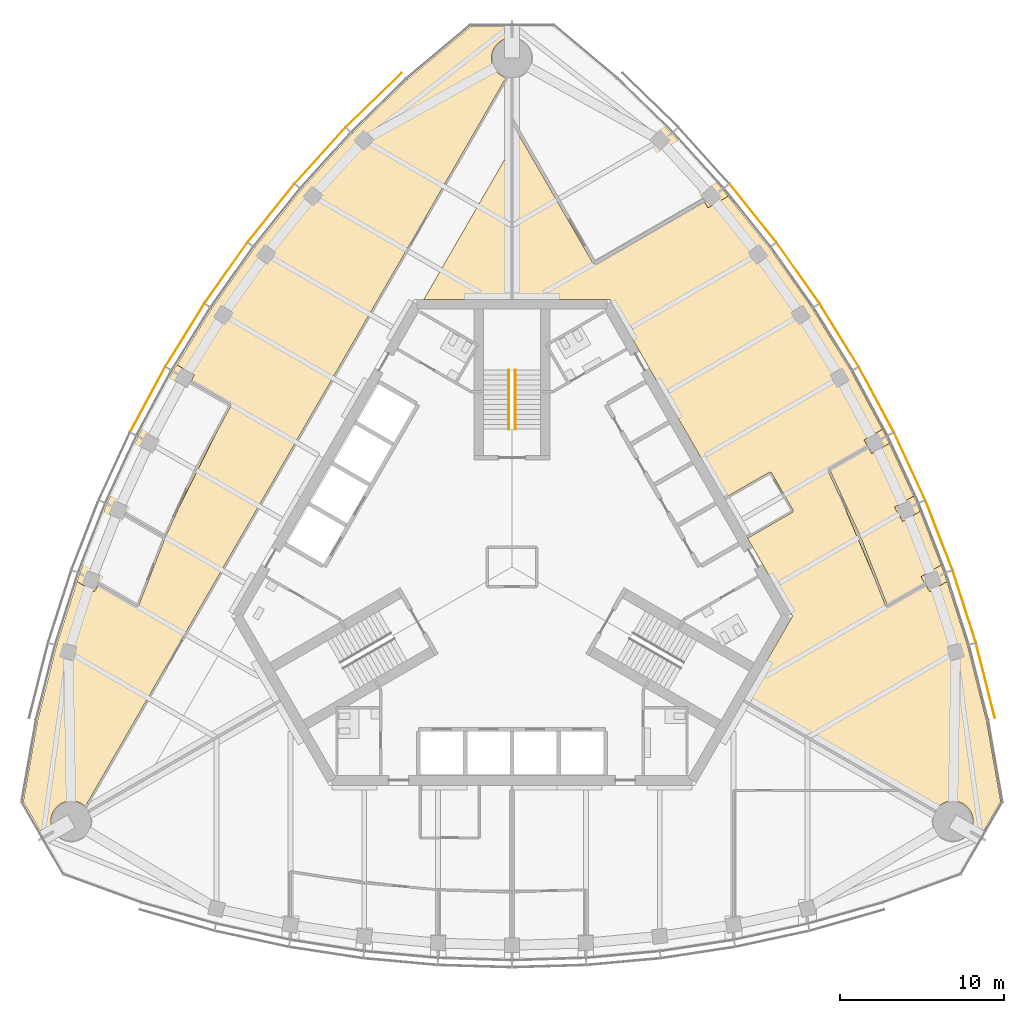
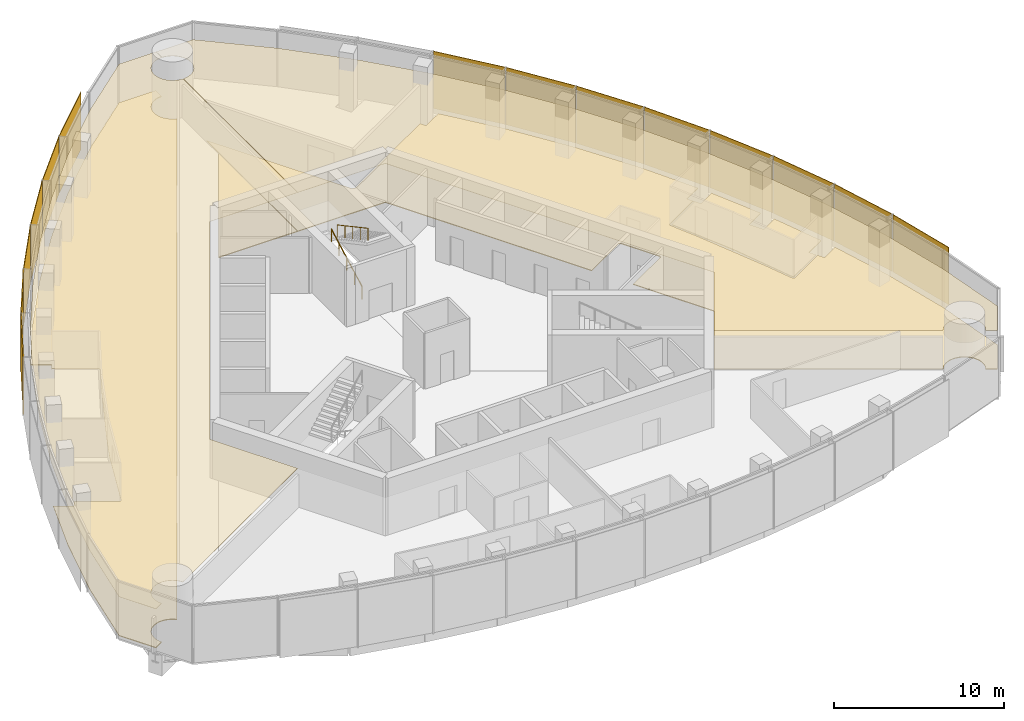
# One storey, part 13 of 16: 14 shading devices, 6 coverings, 2 railings.
"""IFC4 building model written with IfcOpenShell, lengths in metres."""

import ifcopenshell
import ifcopenshell.guid

model = None  # the IFC model being written
_history = None  # IfcOwnerHistory: only IFC2X3 demands one
_inside = {}  # id of a spatial element -> (the spatial element, [elements in it])
_under = {}  # id of a project, library or spatial element -> (it, [spatial elements below it])
_declared = {}  # id of a project -> (the project, [libraries it declares])
_typed = {}  # id of a type object -> (the type object, [elements of that type])
_made_of = {}  # id of a material, layer set ... -> (it, [elements and type objects made of it])


def new_model(schema):
    """Start an empty IFC model of exactly this schema.

    Asked for "IFC4X3", IfcOpenShell would pick the latest addendum, in which some entities
    have other attributes; the version numbers below select the first issue.
    IFC2X3 requires an IfcOwnerHistory on every rooted entity: one is made here for all.
    """
    global model, _history
    if schema == "IFC4X3":
        model = ifcopenshell.file(schema_version=(4, 3, 0, 0))
    else:
        model = ifcopenshell.file(schema=schema)
    _inside.clear()
    _under.clear()
    _declared.clear()
    _typed.clear()
    _made_of.clear()
    _history = None
    if model.schema == "IFC2X3":
        org = make("IfcOrganization", Name="unknown")
        user = make(
            "IfcPersonAndOrganization",
            ThePerson=make("IfcPerson", FamilyName="unknown"),
            TheOrganization=org,
        )
        app = make(
            "IfcApplication",
            ApplicationDeveloper=org,
            Version="unknown",
            ApplicationFullName="unknown",
            ApplicationIdentifier="unknown",
        )
        _history = make(
            "IfcOwnerHistory",
            OwningUser=user,
            OwningApplication=app,
            ChangeAction="ADDED",
            CreationDate=0,
        )
    return model


def make(cls, **values):
    """One entity of the class cls with the attributes given. An attribute that is None is left unset."""
    return model.create_entity(
        cls, **{name: value for name, value in values.items() if value is not None}
    )


def rooted(cls, **values):
    """An entity with a GlobalId (a new one), such as an element, a storey or a relation."""
    return make(cls, GlobalId=ifcopenshell.guid.new(), OwnerHistory=_history, **values)


def si_unit(unit_type, name, prefix=None):
    """IfcSIUnit, for example si_unit("LENGTHUNIT", "METRE", prefix="MILLI")."""
    return make("IfcSIUnit", UnitType=unit_type, Prefix=prefix, Name=name)


def assignment(units):
    """IfcUnitAssignment: the units of a project."""
    return None if units is None else make("IfcUnitAssignment", Units=units)


def point(xyz):
    """IfcCartesianPoint."""
    return None if xyz is None else make("IfcCartesianPoint", Coordinates=xyz)


def direction(xyz):
    """IfcDirection."""
    return None if xyz is None else make("IfcDirection", DirectionRatios=xyz)


def frame(location, z_axis=None, x_axis=None):
    """IfcAxis2Placement3D, a coordinate frame: its origin and axes. An axis left out is left unset."""
    return make(
        "IfcAxis2Placement3D",
        Location=point(location),
        Axis=direction(z_axis),
        RefDirection=direction(x_axis),
    )


def frame_2d(location, x_axis=None):
    """IfcAxis2Placement2D, a coordinate frame in the plane: its origin and x axis."""
    return make(
        "IfcAxis2Placement2D", Location=point(location), RefDirection=direction(x_axis)
    )


def origin():
    """The frame at (0, 0, 0) with its axes left unset."""
    return frame((0.0, 0.0, 0.0))


def origin_2d():
    """The frame at (0, 0) in the plane with its x axis left unset."""
    return frame_2d((0.0, 0.0))


def place(relative_to, where):
    """IfcLocalPlacement: puts the frame where relative to a parent placement (None: the world)."""
    return make(
        "IfcLocalPlacement", PlacementRelTo=relative_to, RelativePlacement=where
    )


def context(
    kind, dimensions, precision=None, world=None, true_north=None, identifier=None
):
    """IfcGeometricRepresentationContext, for example the 3D "Model" context."""
    return make(
        "IfcGeometricRepresentationContext",
        ContextIdentifier=identifier,
        ContextType=kind,
        CoordinateSpaceDimension=dimensions,
        Precision=precision,
        WorldCoordinateSystem=world,
        TrueNorth=true_north,
    )


def subcontext(parent, identifier, kind, view, scale=None):
    """IfcGeometricRepresentationSubContext, for example "Body" below "Model"."""
    return make(
        "IfcGeometricRepresentationSubContext",
        ContextIdentifier=identifier,
        ContextType=kind,
        ParentContext=parent,
        TargetScale=scale,
        TargetView=view,
    )


def project(units=None, contexts=None):
    """IfcProject with its units and contexts."""
    return rooted(
        "IfcProject",
        Name="project",
        RepresentationContexts=contexts,
        UnitsInContext=assignment(units),
    )


def spatial(cls, under=None, at=None, **own):
    """A site, building, storey or space (cls), placed at a placement, below another one or the project."""
    s = rooted(cls, ObjectPlacement=at, **own)
    if under is not None:
        _under.setdefault(under.id(), (under, []))[1].append(s)
    return s


def polyline(points):
    """IfcPolyline through the points."""
    return make("IfcPolyline", Points=[point(p) for p in points])


def profile(cls, at=None, kind="AREA", **sizes):
    """A parametric profile (cls). Its sizes go by their IFC names, for example OverallWidth=200.0."""
    return make(cls, ProfileType=kind, Position=at, **sizes)


def rectangle(**sizes):
    """IfcRectangleProfileDef."""
    return profile("IfcRectangleProfileDef", **sizes)


def circle(**sizes):
    """IfcCircleProfileDef."""
    return profile("IfcCircleProfileDef", **sizes)


def outline(outer, holes=None, kind="AREA"):
    """IfcArbitraryClosedProfileDef: a profile drawn as a closed curve; with holes, ...WithVoids."""
    if holes is None:
        return make("IfcArbitraryClosedProfileDef", ProfileType=kind, OuterCurve=outer)
    return make(
        "IfcArbitraryProfileDefWithVoids",
        ProfileType=kind,
        OuterCurve=outer,
        InnerCurves=holes,
    )


def extrude(swept, where, along, depth):
    """IfcExtrudedAreaSolid: the profile swept, set in the frame where, extruded along a direction by depth."""
    return make(
        "IfcExtrudedAreaSolid",
        SweptArea=swept,
        Position=where,
        ExtrudedDirection=direction(along),
        Depth=depth,
    )


def shape(context_of_items, identifier, shape_type, items):
    """IfcShapeRepresentation: the items that make up one representation, for example the "Body"."""
    return make(
        "IfcShapeRepresentation",
        ContextOfItems=context_of_items,
        RepresentationIdentifier=identifier,
        RepresentationType=shape_type,
        Items=items,
    )


def material(Name=None, Category=None):
    """IfcMaterial."""
    return make("IfcMaterial", Name=Name, Category=Category)


def layer(
    of_material, thickness, ventilated=None, Name=None, Category=None, Priority=None
):
    """IfcMaterialLayer: one layer of a wall or slab, of a material (None: an air gap)."""
    return make(
        "IfcMaterialLayer",
        Material=of_material,
        LayerThickness=thickness,
        IsVentilated=ventilated,
        Name=Name,
        Category=Category,
        Priority=Priority,
    )


def layer_set(layers, Name=None):
    """IfcMaterialLayerSet."""
    return make("IfcMaterialLayerSet", MaterialLayers=layers, LayerSetName=Name)


def made_of(thing, what):
    """Note that an element or type object is made of a material, layer set ...; save() writes the relation."""
    if what is not None:
        _made_of.setdefault(what.id(), (what, []))[1].append(thing)
    return thing


def type_object(cls, material=None, **own):
    """A type object (cls), such as IfcWallType, which elements share."""
    return made_of(rooted(cls, **own), material)


def element(
    cls,
    number,
    at=None,
    inside=None,
    cuts=None,
    type_object=None,
    material=None,
    context=None,
    identifier="Body",
    shape_type=None,
    held_by="IfcProductDefinitionShape",
    body=None,
    shapes=None,
    **own,
):
    """One element of the class cls, such as IfcWall. Its Tag is "e" and its number.

    at: its placement. inside: the storey or other place that contains it. cuts: it is an
    opening in that element (IfcRelVoidsElement). A single representation is given by context,
    identifier, shape_type and body (its items); several are given by shapes. held_by: the class
    of the entity that holds the representations. save() writes the other relations.
    """
    e = rooted(cls, Tag="e%d" % number, ObjectPlacement=at, **own)
    if body is not None:
        shapes = [shape(context, identifier, shape_type, body)]
    if shapes is not None:
        e.Representation = make(held_by, Representations=shapes)
    if inside is not None:
        _inside.setdefault(inside.id(), (inside, []))[1].append(e)
    if cuts is not None:
        rooted(
            "IfcRelVoidsElement", RelatingBuildingElement=cuts, RelatedOpeningElement=e
        )
    if type_object is not None:
        _typed.setdefault(type_object.id(), (type_object, []))[1].append(e)
    return made_of(e, material)


def aggregate(whole, parts):
    """IfcRelAggregates: a whole, such as a stair, and the parts it consists of."""
    return rooted("IfcRelAggregates", RelatingObject=whole, RelatedObjects=parts)


def save(model, path):
    """Write the relations noted so far, then the file.

    IfcRelAggregates (storeys below a building ...), IfcRelContainedInSpatialStructure (elements
    in a storey), IfcRelDefinesByType, IfcRelAssociatesMaterial and IfcRelDeclares: one each for
    every whole, place, type object, material and project.
    """
    for whole, parts in _under.values():
        aggregate(whole, parts)
    for where, things in _inside.values():
        rooted(
            "IfcRelContainedInSpatialStructure",
            RelatedElements=things,
            RelatingStructure=where,
        )
    for kind, things in _typed.values():
        rooted("IfcRelDefinesByType", RelatedObjects=things, RelatingType=kind)
    for what, things in _made_of.values():
        rooted("IfcRelAssociatesMaterial", RelatedObjects=things, RelatingMaterial=what)
    for by, libraries in _declared.values():
        rooted("IfcRelDeclares", RelatingContext=by, RelatedDefinitions=libraries)
    model.write(path)


model = new_model("IFC4")

# Units and contexts
model_context = context("Model", 3, precision=1e-05, world=origin(), true_north=direction((0.0, 1.0)))
body_context = subcontext(model_context, "Body", "Model", "MODEL_VIEW")
ifc_project = project(units=[si_unit("LENGTHUNIT", "METRE"), si_unit("AREAUNIT", "SQUARE_METRE"), si_unit("VOLUMEUNIT", "CUBIC_METRE"), si_unit("PLANEANGLEUNIT", "RADIAN"), si_unit("MASSUNIT", "GRAM", prefix="KILO")], contexts=[model_context])

# Site, building, storey
site_placement = place(None, origin())
site = spatial("IfcSite", under=ifc_project, at=site_placement, CompositionType="ELEMENT")
building_placement = place(site_placement, origin())
building = spatial("IfcBuilding", under=site, at=building_placement, Name="Trefoil Bronze Tower", CompositionType="ELEMENT")
storey_placement = place(building_placement, frame((0.0, 0.0, 309.89990234375)))
storey = spatial("IfcBuildingStorey", under=building, at=storey_placement, Name="L71", CompositionType="ELEMENT", Elevation=309.89990234375)

# Shading devices
ifc_material_1 = material(Name="Perforated bronze sheet", Category="bronze")
ifc_layer_1 = layer(ifc_material_1, 0.0400390625)
ifc_layer_set_1 = layer_set([ifc_layer_1], Name="Bronze solar screen panel")
shading_device_type = type_object("IfcShadingDeviceType", Name="Bronze solar screen panel", PredefinedType="SHUTTER", material=ifc_layer_set_1)
shading_device_1_placement = place(storey_placement, frame((28.843994140625, -6.927490234375, 0.050048828125), z_axis=(0.0, 0.0, 1.0), x_axis=(-0.244879561333, 0.969553505713, 0.0)))
element("IfcShadingDevice", 1, at=shading_device_1_placement, inside=storey, type_object=shading_device_type, Name="Solar screen CW-A L71 F2 bay 1", PredefinedType="SHUTTER", context=body_context, shape_type="SweptSolid", body=[
    extrude(rectangle(XDim=4.697509765625, YDim=0.0400390625, at=origin_2d()), origin(), (0.0, 0.0, 1.0), 4.10009765625),
])
shading_device_2_placement = place(storey_placement, frame((27.55322265625, -2.410888671875, 0.050048828125), z_axis=(0.0, 0.0, 1.0), x_axis=(-0.305187864214, 0.952292165009, 0.0)))
element("IfcShadingDevice", 2, at=shading_device_2_placement, inside=storey, type_object=shading_device_type, Name="Solar screen CW-A L71 F2 bay 2", PredefinedType="SHUTTER", context=body_context, shape_type="SweptSolid", body=[
    extrude(rectangle(XDim=4.574462890625, YDim=0.0400390625, at=origin_2d()), origin(), (0.0, 0.0, 1.0), 4.10009765625),
])
shading_device_3_placement = place(storey_placement, frame((26.0126953125, 1.93359375, 0.050048828125), z_axis=(0.0, 0.0, 1.0), x_axis=(-0.363198578387, 0.931711754062, 0.0)))
element("IfcShadingDevice", 3, at=shading_device_3_placement, inside=storey, type_object=shading_device_type, Name="Solar screen CW-A L71 F2 bay 3", PredefinedType="SHUTTER", context=body_context, shape_type="SweptSolid", body=[
    extrude(rectangle(XDim=4.5224609375, YDim=0.0400390625, at=origin_2d()), origin(), (0.0, 0.0, 1.0), 4.10009765625),
])
shading_device_4_placement = place(storey_placement, frame((24.2255859375, 6.135986328125, 0.050048828125), z_axis=(0.0, 0.0, 1.0), x_axis=(-0.419309148468, 0.907843509649, 0.0)))
element("IfcShadingDevice", 4, at=shading_device_4_placement, inside=storey, type_object=shading_device_type, Name="Solar screen CW-A L71 F2 bay 4", PredefinedType="SHUTTER", context=body_context, shape_type="SweptSolid", body=[
    extrude(rectangle(XDim=4.48876953125, YDim=0.0400390625, at=origin_2d()), origin(), (0.0, 0.0, 1.0), 4.10009765625),
])
for number, where, z_axis, x_axis, name in (
    (5, (22.19775390625, 10.198974609375, 0.050048828125), (0.0, 0.0, 1.0), (-0.473562437085, 0.880760250115, 0.0), "Solar screen CW-A L71 F2 bay 5"),
    (6, (19.931396484375, 14.124267578125, 0.050048828125), (0.0, 0.0, 1.0), (-0.525979532701, 0.850497225851, 0.0), "Solar screen CW-A L71 F2 bay 6"),
):
    element("IfcShadingDevice", number, at=place(storey_placement, frame(where, z_axis=z_axis, x_axis=x_axis)), inside=storey, type_object=shading_device_type, Name=name, PredefinedType="SHUTTER", context=body_context, shape_type="SweptSolid", body=[
        extrude(rectangle(XDim=4.47216796875, YDim=0.0400390625, at=origin_2d()), origin(), (0.0, 0.0, 1.0), 4.10009765625),
    ])
shading_device_5_placement = place(storey_placement, frame((17.4267578125, 17.912109375, 0.050048828125), z_axis=(0.0, 0.0, 1.0), x_axis=(-0.576560967783, 0.817054129437, 0.0)))
element("IfcShadingDevice", 7, at=shading_device_5_placement, inside=storey, type_object=shading_device_type, Name="Solar screen CW-A L71 F2 bay 7", PredefinedType="SHUTTER", context=body_context, shape_type="SweptSolid", body=[
    extrude(rectangle(XDim=4.48876953125, YDim=0.0400390625, at=origin_2d()), origin(), (0.0, 0.0, 1.0), 4.10009765625),
])
shading_device_6_placement = place(storey_placement, frame((14.680908203125, 21.560791015625, 0.050048828125), z_axis=(0.0, 0.0, 1.0), x_axis=(-0.625286758829, 0.780395072533, 0.0)))
element("IfcShadingDevice", 8, at=shading_device_6_placement, inside=storey, type_object=shading_device_type, Name="Solar screen CW-A L71 F2 bay 8", PredefinedType="SHUTTER", context=body_context, shape_type="SweptSolid", body=[
    extrude(rectangle(XDim=4.5224609375, YDim=0.0400390625, at=origin_2d()), origin(), (0.0, 0.0, 1.0), 4.10009765625),
])
shading_device_7_placement = place(storey_placement, frame((-8.42236328125, 28.443359375, 0.050048828125), z_axis=(0.0, 0.0, 1.0), x_axis=(-0.71721818561, -0.696848673839, 0.0)))
element("IfcShadingDevice", 9, at=shading_device_7_placement, inside=storey, type_object=shading_device_type, Name="Solar screen CW-A L71 F3 bay 1", PredefinedType="SHUTTER", context=body_context, shape_type="SweptSolid", body=[
    extrude(rectangle(XDim=4.697509765625, YDim=0.0400390625, at=origin_2d()), origin(), (0.0, 0.0, 1.0), 4.10009765625),
])
shading_device_8_placement = place(storey_placement, frame((-11.688720703125, 25.067138671875, 0.050048828125), z_axis=(0.0, 0.0, 1.0), x_axis=(-0.672115274615, -0.74044652584, 0.0)))
element("IfcShadingDevice", 10, at=shading_device_8_placement, inside=storey, type_object=shading_device_type, Name="Solar screen CW-A L71 F3 bay 2", PredefinedType="SHUTTER", context=body_context, shape_type="SweptSolid", body=[
    extrude(rectangle(XDim=4.574462890625, YDim=0.0400390625, at=origin_2d()), origin(), (0.0, 0.0, 1.0), 4.10009765625),
])
shading_device_9_placement = place(storey_placement, frame((-14.680908203125, 21.560791015625, 0.050048828125), z_axis=(0.0, 0.0, 1.0), x_axis=(-0.625286758829, -0.780395072533, 0.0)))
element("IfcShadingDevice", 11, at=shading_device_9_placement, inside=storey, type_object=shading_device_type, Name="Solar screen CW-A L71 F3 bay 3", PredefinedType="SHUTTER", context=body_context, shape_type="SweptSolid", body=[
    extrude(rectangle(XDim=4.5224609375, YDim=0.0400390625, at=origin_2d()), origin(), (0.0, 0.0, 1.0), 4.10009765625),
])
shading_device_10_placement = place(storey_placement, frame((-17.4267578125, 17.912109375, 0.050048828125), z_axis=(0.0, 0.0, 1.0), x_axis=(-0.576560967783, -0.817054129437, 0.0)))
element("IfcShadingDevice", 12, at=shading_device_10_placement, inside=storey, type_object=shading_device_type, Name="Solar screen CW-A L71 F3 bay 4", PredefinedType="SHUTTER", context=body_context, shape_type="SweptSolid", body=[
    extrude(rectangle(XDim=4.48876953125, YDim=0.0400390625, at=origin_2d()), origin(), (0.0, 0.0, 1.0), 4.10009765625),
])
for number, where, z_axis, x_axis, name in (
    (13, (-19.931396484375, 14.124267578125, 0.050048828125), (0.0, 0.0, 1.0), (-0.525979532701, -0.850497225851, 0.0), "Solar screen CW-A L71 F3 bay 5"),
    (14, (-22.19775390625, 10.198974609375, 0.050048828125), (0.0, 0.0, 1.0), (-0.473562437085, -0.880760250115, 0.0), "Solar screen CW-A L71 F3 bay 6"),
):
    element("IfcShadingDevice", number, at=place(storey_placement, frame(where, z_axis=z_axis, x_axis=x_axis)), inside=storey, type_object=shading_device_type, Name=name, PredefinedType="SHUTTER", context=body_context, shape_type="SweptSolid", body=[
        extrude(rectangle(XDim=4.47216796875, YDim=0.0400390625, at=origin_2d()), origin(), (0.0, 0.0, 1.0), 4.10009765625),
    ])

# Railings
ifc_material_2 = material(Name="Steel handrail", Category="steel")
railing_type = type_object("IfcRailingType", Name="Handrail 900", PredefinedType="HANDRAIL", material=ifc_material_2)
railing_1_placement = place(storey_placement, frame((-0.199951171875, 8.389892578125, 0.16162109375)))
element("IfcRailing", 15, at=railing_1_placement, inside=storey, type_object=railing_type, Name="Handrail ST2 flight 1 L71", PredefinedType="HANDRAIL", context=body_context, shape_type="SweptSolid", body=[
    extrude(circle(Radius=0.02392578125, at=origin_2d()), frame((0.0, 0.0, 0.8759765625), z_axis=(0.0, 0.880474934443, 0.474092701714), x_axis=(-1.0, 0.0, 0.0)), (0.0, 0.0, 1.0), 4.0888671875),
    extrude(circle(Radius=0.02099609375, at=origin_2d()), origin(), (0.0, 0.0, 1.0), 0.851806640625),
    extrude(circle(Radius=0.02099609375, at=origin_2d()), frame((0.0, 0.89990234375, 0.484619140625)), (0.0, 0.0, 1.0), 0.851806640625),
    extrude(circle(Radius=0.02099609375, at=origin_2d()), frame((0.0, 1.800048828125, 0.96923828125)), (0.0, 0.0, 1.0), 0.851806640625),
    extrude(circle(Radius=0.02099609375, at=origin_2d()), frame((0.0, 2.7001953125, 1.453857421875)), (0.0, 0.0, 1.0), 0.851806640625),
    extrude(circle(Radius=0.02099609375, at=origin_2d()), frame((0.0, 3.60009765625, 1.9384765625)), (0.0, 0.0, 1.0), 0.851806640625),
])
railing_2_placement = place(storey_placement, frame((0.199951171875, 11.989990234375, 2.26171875)))
element("IfcRailing", 16, at=railing_2_placement, inside=storey, type_object=railing_type, Name="Handrail ST2 flight 2 L71", PredefinedType="HANDRAIL", context=body_context, shape_type="SweptSolid", body=[
    extrude(circle(Radius=0.02392578125, at=origin_2d()), frame((0.0, 0.0, 0.8759765625), z_axis=(0.0, -0.880474934443, 0.474092701714), x_axis=(1.0, 0.0, 0.0)), (0.0, 0.0, 1.0), 4.0888671875),
    extrude(circle(Radius=0.02099609375, at=origin_2d()), origin(), (0.0, 0.0, 1.0), 0.851806640625),
    extrude(circle(Radius=0.02099609375, at=origin_2d()), frame((0.0, -0.89990234375, 0.484619140625)), (0.0, 0.0, 1.0), 0.851806640625),
    extrude(circle(Radius=0.02099609375, at=origin_2d()), frame((0.0, -1.800048828125, 0.96923828125)), (0.0, 0.0, 1.0), 0.851806640625),
    extrude(circle(Radius=0.02099609375, at=origin_2d()), frame((0.0, -2.7001953125, 1.453857421875)), (0.0, 0.0, 1.0), 0.851806640625),
    extrude(circle(Radius=0.02099609375, at=origin_2d()), frame((0.0, -3.60009765625, 1.9384765625)), (0.0, 0.0, 1.0), 0.851806640625),
])

# Coverings
ifc_material_3 = material(Name="Acoustic ceiling panels", Category="mineral fibre")
ifc_layer_2 = layer(ifc_material_3, 0.02001953125)
ifc_layer_set_2 = layer_set([ifc_layer_2], Name="Office ceiling 20")
covering_type_1 = type_object("IfcCoveringType", Name="Office ceiling 20", PredefinedType="CEILING", material=ifc_layer_set_2)
covering_1_placement = place(storey_placement, frame((0.0, 0.0, 2.900146484375)))
element("IfcCovering", 17, at=covering_1_placement, inside=storey, type_object=covering_type_1, Name="Ceiling L71 PA area F2", PredefinedType="CEILING", context=body_context, shape_type="SweptSolid", body=[
    extrude(outline(polyline([(9.741455078125, 26.408935546875), (12.836181640625, 22.99951171875), (15.682861328125, 19.44677734375), (18.2880859375, 15.7548828125), (20.656005859375, 11.92578125), (22.7880859375, 7.960693359375), (24.682861328125, 3.8583984375), (26.336181640625, -0.38330078125), (27.741455078125, -4.76806640625), (28.899169921875, -9.3515625), (29.770263671875, -14.291748046875), (28.522216796875, -16.453125), (27.93505859375, -16.1142578125), (27.976806640625, -16.034423828125), (28.001708984375, -15.978515625), (28.023681640625, -15.921142578125), (28.04296875, -15.86279296875), (28.059326171875, -15.8037109375), (28.07275390625, -15.743896484375), (28.083251953125, -15.683349609375), (28.0908203125, -15.62255859375), (28.09521484375, -15.561279296875), (28.0966796875, -15.5), (28.09521484375, -15.438720703125), (28.0908203125, -15.37744140625), (28.083251953125, -15.316650390625), (28.07275390625, -15.256103515625), (28.059326171875, -15.1962890625), (28.04296875, -15.13720703125), (28.023681640625, -15.078857421875), (28.001708984375, -15.021484375), (27.976806640625, -14.965576171875), (27.94921875, -14.910888671875), (27.9189453125, -14.857421875), (27.885986328125, -14.805419921875), (27.850830078125, -14.75537109375), (27.81298828125, -14.70703125), (27.77294921875, -14.66064453125), (27.730712890625, -14.6162109375), (27.686279296875, -14.57373046875), (27.639892578125, -14.53369140625), (27.59130859375, -14.49609375), (27.541259765625, -14.460693359375), (27.489501953125, -14.427734375), (27.43603515625, -14.397705078125), (27.381103515625, -14.3701171875), (27.3251953125, -14.34521484375), (27.267822265625, -14.322998046875), (27.209716796875, -14.3037109375), (27.150390625, -14.28759765625), (27.0908203125, -14.27392578125), (27.0302734375, -14.263427734375), (26.96923828125, -14.256103515625), (26.908203125, -14.25146484375), (26.8466796875, -14.25), (26.785400390625, -14.25146484375), (26.724365234375, -14.256103515625), (26.663330078125, -14.263427734375), (26.602783203125, -14.27392578125), (26.543212890625, -14.28759765625), (26.48388671875, -14.3037109375), (26.42578125, -14.322998046875), (26.368408203125, -14.34521484375), (26.312255859375, -14.3701171875), (26.257568359375, -14.397705078125), (26.2041015625, -14.427734375), (26.15234375, -14.460693359375), (26.102294921875, -14.49609375), (26.0537109375, -14.53369140625), (26.00732421875, -14.57373046875), (25.962890625, -14.6162109375), (25.920654296875, -14.66064453125), (25.880615234375, -14.70703125), (25.8427734375, -14.75537109375), (25.8076171875, -14.805419921875), (25.77001953125, -14.865478515625), (14.119384765625, -8.144775390625), (17.089599609375, -3.0), (5.94677734375, 16.300048828125), (0.006103515625, 16.300048828125), (0.01123046875, 29.750244140625), (0.061279296875, 29.75146484375), (0.12255859375, 29.756103515625), (0.183349609375, 29.763427734375), (0.243896484375, 29.77392578125), (0.3037109375, 29.78759765625), (0.36279296875, 29.8037109375), (0.421142578125, 29.822998046875), (0.478515625, 29.84521484375), (0.534423828125, 29.8701171875), (0.589111328125, 29.897705078125), (0.642578125, 29.927734375), (0.694580078125, 29.960693359375), (0.74462890625, 29.99609375), (0.79296875, 30.03369140625), (0.83935546875, 30.07373046875), (0.8837890625, 30.1162109375), (0.92626953125, 30.16064453125), (0.96630859375, 30.20703125), (1.00390625, 30.25537109375), (1.039306640625, 30.305419921875), (1.072265625, 30.357421875), (1.102294921875, 30.410888671875), (1.1298828125, 30.465576171875), (1.15478515625, 30.521484375), (1.177001953125, 30.578857421875), (1.1962890625, 30.63720703125), (1.21240234375, 30.6962890625), (1.22607421875, 30.756103515625), (1.236572265625, 30.816650390625), (1.243896484375, 30.87744140625), (1.24853515625, 30.938720703125), (1.25, 31.0), (1.24853515625, 31.061279296875), (1.243896484375, 31.12255859375), (1.236572265625, 31.183349609375), (1.22607421875, 31.243896484375), (1.21240234375, 31.3037109375), (1.1962890625, 31.36279296875), (1.177001953125, 31.421142578125), (1.15478515625, 31.478515625), (1.1298828125, 31.534423828125), (1.102294921875, 31.589111328125), (1.072265625, 31.642578125), (1.039306640625, 31.694580078125), (1.00390625, 31.74462890625), (0.96630859375, 31.79296875), (0.92626953125, 31.83935546875), (0.8837890625, 31.8837890625), (0.83935546875, 31.92626953125), (0.79296875, 31.96630859375), (0.74462890625, 32.00390625), (0.694580078125, 32.039306640625), (0.642578125, 32.072265625), (0.589111328125, 32.102294921875), (0.534423828125, 32.1298828125), (0.478515625, 32.15478515625), (0.421142578125, 32.177001953125), (0.36279296875, 32.1962890625), (0.3037109375, 32.21240234375), (0.243896484375, 32.22607421875), (0.183349609375, 32.236572265625), (0.12255859375, 32.243896484375), (0.061279296875, 32.24853515625), (0.01220703125, 32.249755859375), (0.01220703125, 32.927490234375), (2.508056640625, 32.927490234375), (6.350830078125, 29.703125), (9.741455078125, 26.408935546875)])), origin(), (0.0, 0.0, 1.0), 0.02001953125),
])
covering_2_placement = place(storey_placement, frame((0.0, 0.0, 2.900146484375)))
element("IfcCovering", 18, at=covering_2_placement, inside=storey, type_object=covering_type_1, Name="Ceiling L71 PA area F3", PredefinedType="CEILING", context=body_context, shape_type="SweptSolid", body=[
    extrude(outline(polyline([(-27.741455078125, -4.76806640625), (-26.336181640625, -0.38330078125), (-24.682861328125, 3.8583984375), (-22.7880859375, 7.960693359375), (-20.656005859375, 11.92578125), (-18.2880859375, 15.7548828125), (-15.682861328125, 19.44677734375), (-12.836181640625, 22.99951171875), (-9.741455078125, 26.408935546875), (-6.350830078125, 29.703125), (-2.508056640625, 32.927490234375), (-0.01220703125, 32.927490234375), (-0.01220703125, 32.249755859375), (-0.061279296875, 32.24853515625), (-0.12255859375, 32.243896484375), (-0.183349609375, 32.236572265625), (-0.243896484375, 32.22607421875), (-0.3037109375, 32.21240234375), (-0.36279296875, 32.1962890625), (-0.421142578125, 32.177001953125), (-0.478515625, 32.15478515625), (-0.534423828125, 32.1298828125), (-0.589111328125, 32.102294921875), (-0.642578125, 32.072265625), (-0.694580078125, 32.039306640625), (-0.74462890625, 32.00390625), (-0.79296875, 31.96630859375), (-0.83935546875, 31.92626953125), (-0.8837890625, 31.8837890625), (-0.92626953125, 31.83935546875), (-0.96630859375, 31.79296875), (-1.00390625, 31.74462890625), (-1.039306640625, 31.694580078125), (-1.072265625, 31.642578125), (-1.102294921875, 31.589111328125), (-1.1298828125, 31.534423828125), (-1.15478515625, 31.478515625), (-1.177001953125, 31.421142578125), (-1.1962890625, 31.36279296875), (-1.21240234375, 31.3037109375), (-1.22607421875, 31.243896484375), (-1.236572265625, 31.183349609375), (-1.243896484375, 31.12255859375), (-1.24853515625, 31.061279296875), (-1.25, 31.0), (-1.24853515625, 30.938720703125), (-1.243896484375, 30.87744140625), (-1.236572265625, 30.816650390625), (-1.22607421875, 30.756103515625), (-1.21240234375, 30.6962890625), (-1.1962890625, 30.63720703125), (-1.177001953125, 30.578857421875), (-1.15478515625, 30.521484375), (-1.1298828125, 30.465576171875), (-1.102294921875, 30.410888671875), (-1.072265625, 30.357421875), (-1.039306640625, 30.305419921875), (-1.00390625, 30.25537109375), (-0.96630859375, 30.20703125), (-0.92626953125, 30.16064453125), (-0.8837890625, 30.1162109375), (-0.83935546875, 30.07373046875), (-0.79296875, 30.03369140625), (-0.74462890625, 29.99609375), (-0.694580078125, 29.960693359375), (-0.642578125, 29.927734375), (-0.589111328125, 29.897705078125), (-0.534423828125, 29.8701171875), (-0.478515625, 29.84521484375), (-0.421142578125, 29.822998046875), (-0.36279296875, 29.8037109375), (-0.3037109375, 29.78759765625), (-0.243896484375, 29.77392578125), (-0.183349609375, 29.763427734375), (-0.12255859375, 29.756103515625), (-0.061279296875, 29.75146484375), (-0.01123046875, 29.750244140625), (-0.006103515625, 16.300048828125), (-5.94677734375, 16.300048828125), (-17.089599609375, -3.0), (-14.119384765625, -8.144775390625), (-25.77001953125, -14.865478515625), (-25.8076171875, -14.805419921875), (-25.8427734375, -14.75537109375), (-25.880615234375, -14.70703125), (-25.920654296875, -14.66064453125), (-25.962890625, -14.6162109375), (-26.00732421875, -14.57373046875), (-26.0537109375, -14.53369140625), (-26.102294921875, -14.49609375), (-26.15234375, -14.460693359375), (-26.2041015625, -14.427734375), (-26.257568359375, -14.397705078125), (-26.312255859375, -14.3701171875), (-26.368408203125, -14.34521484375), (-26.42578125, -14.322998046875), (-26.48388671875, -14.3037109375), (-26.543212890625, -14.28759765625), (-26.602783203125, -14.27392578125), (-26.663330078125, -14.263427734375), (-26.724365234375, -14.256103515625), (-26.785400390625, -14.25146484375), (-26.8466796875, -14.25), (-26.908203125, -14.25146484375), (-26.96923828125, -14.256103515625), (-27.0302734375, -14.263427734375), (-27.0908203125, -14.27392578125), (-27.150390625, -14.28759765625), (-27.209716796875, -14.3037109375), (-27.267822265625, -14.322998046875), (-27.3251953125, -14.34521484375), (-27.381103515625, -14.3701171875), (-27.43603515625, -14.397705078125), (-27.489501953125, -14.427734375), (-27.541259765625, -14.460693359375), (-27.59130859375, -14.49609375), (-27.639892578125, -14.53369140625), (-27.686279296875, -14.57373046875), (-27.730712890625, -14.6162109375), (-27.77294921875, -14.66064453125), (-27.81298828125, -14.70703125), (-27.850830078125, -14.75537109375), (-27.885986328125, -14.805419921875), (-27.9189453125, -14.857421875), (-27.94921875, -14.910888671875), (-27.976806640625, -14.965576171875), (-28.001708984375, -15.021484375), (-28.023681640625, -15.078857421875), (-28.04296875, -15.13720703125), (-28.059326171875, -15.1962890625), (-28.07275390625, -15.256103515625), (-28.083251953125, -15.316650390625), (-28.0908203125, -15.37744140625), (-28.09521484375, -15.438720703125), (-28.0966796875, -15.5), (-28.09521484375, -15.561279296875), (-28.0908203125, -15.62255859375), (-28.083251953125, -15.683349609375), (-28.07275390625, -15.743896484375), (-28.059326171875, -15.8037109375), (-28.04296875, -15.86279296875), (-28.023681640625, -15.921142578125), (-28.001708984375, -15.978515625), (-27.976806640625, -16.034423828125), (-27.93505859375, -16.1142578125), (-28.522216796875, -16.453125), (-29.770263671875, -14.291748046875), (-28.899169921875, -9.3515625), (-27.741455078125, -4.76806640625)])), origin(), (0.0, 0.0, 1.0), 0.02001953125),
])
ifc_material_4 = material(Name="Raised access floor panels", Category="steel")
ifc_layer_3 = layer(ifc_material_4, 0.050048828125)
ifc_layer_set_3 = layer_set([ifc_layer_3], Name="Raised access floor 150")
covering_type_2 = type_object("IfcCoveringType", Name="Raised access floor 150", PredefinedType="FLOORING", material=ifc_layer_set_3)
covering_3_placement = place(storey_placement, frame((0.0, 0.0, 0.10009765625)))
element("IfcCovering", 19, at=covering_3_placement, inside=storey, type_object=covering_type_2, Name="Raised floor L71 Executive office F2", PredefinedType="FLOORING", context=body_context, shape_type="SweptSolid", body=[
    extrude(outline(polyline([(24.47119140625, 4.316162109375), (23.298583984375, 3.63916015625), (23.801025390625, 2.769287109375), (24.867431640625, 3.385009765625), (26.143310546875, 0.112060546875), (24.9140625, -0.59765625), (25.146728515625, -1.000732421875), (22.859375, -2.3212890625), (21.231201171875, 1.85498046875), (21.17529296875, 1.833251953125), (21.22998046875, 1.8583984375), (19.358154296875, 5.910888671875), (21.70751953125, 7.267333984375), (21.677490234375, 7.3193359375), (21.680419921875, 7.321044921875), (21.919189453125, 6.90771484375), (22.989013671875, 7.525390625), (24.47119140625, 4.316162109375)])), origin(), (0.0, 0.0, 1.0), 0.050048828125),
])
covering_4_placement = place(storey_placement, frame((0.0, 0.0, 0.10009765625)))
element("IfcCovering", 20, at=covering_4_placement, inside=storey, type_object=covering_type_2, Name="Raised floor L71 PA area F2", PredefinedType="FLOORING", context=body_context, shape_type="SweptSolid", body=[
    extrude(outline(polyline([(20.656005859375, 11.92578125), (22.56201171875, 8.38134765625), (21.441650390625, 7.734619140625), (21.680419921875, 7.321044921875), (21.677490234375, 7.3193359375), (21.647705078125, 7.371337890625), (19.250732421875, 5.987548828125), (19.28076171875, 5.935546875), (19.226318359375, 5.910400390625), (20.048095703125, 4.131103515625), (22.055908203125, -0.59033203125), (22.77294921875, -2.429931640625), (22.828857421875, -2.408203125), (22.85888671875, -2.460205078125), (25.206787109375, -1.104736328125), (25.439453125, -1.5078125), (26.500244140625, -0.895263671875), (27.741455078125, -4.76806640625), (28.899169921875, -9.3515625), (29.770263671875, -14.291748046875), (28.522216796875, -16.453125), (27.93505859375, -16.1142578125), (27.976806640625, -16.034423828125), (28.001708984375, -15.978515625), (28.023681640625, -15.921142578125), (28.04296875, -15.86279296875), (28.059326171875, -15.8037109375), (28.07275390625, -15.743896484375), (28.083251953125, -15.683349609375), (28.0908203125, -15.62255859375), (28.09521484375, -15.561279296875), (28.0966796875, -15.5), (28.09521484375, -15.438720703125), (28.0908203125, -15.37744140625), (28.083251953125, -15.316650390625), (28.07275390625, -15.256103515625), (28.059326171875, -15.1962890625), (28.04296875, -15.13720703125), (28.023681640625, -15.078857421875), (28.001708984375, -15.021484375), (27.976806640625, -14.965576171875), (27.94921875, -14.910888671875), (27.9189453125, -14.857421875), (27.885986328125, -14.805419921875), (27.850830078125, -14.75537109375), (27.81298828125, -14.70703125), (27.77294921875, -14.66064453125), (27.730712890625, -14.6162109375), (27.686279296875, -14.57373046875), (27.639892578125, -14.53369140625), (27.59130859375, -14.49609375), (27.541259765625, -14.460693359375), (27.489501953125, -14.427734375), (27.43603515625, -14.397705078125), (27.381103515625, -14.3701171875), (27.3251953125, -14.34521484375), (27.267822265625, -14.322998046875), (27.209716796875, -14.3037109375), (27.150390625, -14.28759765625), (27.0908203125, -14.27392578125), (27.0302734375, -14.263427734375), (26.96923828125, -14.256103515625), (26.908203125, -14.25146484375), (26.8466796875, -14.25), (26.785400390625, -14.25146484375), (26.724365234375, -14.256103515625), (26.663330078125, -14.263427734375), (26.602783203125, -14.27392578125), (26.543212890625, -14.28759765625), (26.48388671875, -14.3037109375), (26.42578125, -14.322998046875), (26.368408203125, -14.34521484375), (26.312255859375, -14.3701171875), (26.257568359375, -14.397705078125), (26.2041015625, -14.427734375), (26.15234375, -14.460693359375), (26.102294921875, -14.49609375), (26.0537109375, -14.53369140625), (26.00732421875, -14.57373046875), (25.962890625, -14.6162109375), (25.920654296875, -14.66064453125), (25.880615234375, -14.70703125), (25.8427734375, -14.75537109375), (25.8076171875, -14.805419921875), (25.77001953125, -14.865478515625), (14.119384765625, -8.144775390625), (17.089599609375, -3.0), (14.34814453125, 1.748291015625), (17.119384765625, 3.348388671875), (17.08935546875, 3.400390625), (17.141357421875, 3.430419921875), (15.79150390625, 5.7685546875), (15.739501953125, 5.738525390625), (15.70947265625, 5.79052734375), (12.93798828125, 4.1904296875), (5.94677734375, 16.300048828125), (0.006103515625, 16.300048828125), (0.010009765625, 27.0224609375), (4.958740234375, 18.451416015625), (5.04541015625, 18.501220703125), (5.09521484375, 18.414794921875), (11.726806640625, 22.243408203125), (11.939453125, 21.875), (13.168701171875, 22.584716796875), (15.682861328125, 19.44677734375), (18.2880859375, 15.7548828125), (20.656005859375, 11.92578125)])), origin(), (0.0, 0.0, 1.0), 0.050048828125),
])
covering_5_placement = place(storey_placement, frame((0.0, 0.0, 0.10009765625)))
element("IfcCovering", 21, at=covering_5_placement, inside=storey, type_object=covering_type_2, Name="Raised floor L71 PA area F3", PredefinedType="FLOORING", context=body_context, shape_type="SweptSolid", body=[
    extrude(outline(polyline([(-27.741455078125, -4.76806640625), (-26.500244140625, -0.895263671875), (-25.439453125, -1.5078125), (-25.206787109375, -1.104736328125), (-22.85888671875, -2.460205078125), (-22.828857421875, -2.408203125), (-22.77294921875, -2.429931640625), (-21.1201171875, 1.809814453125), (-20.2900390625, 3.607177734375), (-18.031005859375, 8.13330078125), (-17.095703125, 9.872314453125), (-17.148681640625, 9.90087890625), (-17.11865234375, 9.952880859375), (-19.517578125, 11.337890625), (-19.547607421875, 11.285888671875), (-19.57275390625, 11.30029296875), (-19.34716796875, 11.69091796875), (-20.418701171875, 12.3095703125), (-18.2880859375, 15.7548828125), (-15.682861328125, 19.44677734375), (-12.836181640625, 22.99951171875), (-9.741455078125, 26.408935546875), (-6.350830078125, 29.703125), (-2.508056640625, 32.927490234375), (-0.01220703125, 32.927490234375), (-0.01220703125, 32.249755859375), (-0.061279296875, 32.24853515625), (-0.12255859375, 32.243896484375), (-0.183349609375, 32.236572265625), (-0.243896484375, 32.22607421875), (-0.3037109375, 32.21240234375), (-0.36279296875, 32.1962890625), (-0.421142578125, 32.177001953125), (-0.478515625, 32.15478515625), (-0.534423828125, 32.1298828125), (-0.589111328125, 32.102294921875), (-0.642578125, 32.072265625), (-0.694580078125, 32.039306640625), (-0.74462890625, 32.00390625), (-0.79296875, 31.96630859375), (-0.83935546875, 31.92626953125), (-0.8837890625, 31.8837890625), (-0.92626953125, 31.83935546875), (-0.96630859375, 31.79296875), (-1.00390625, 31.74462890625), (-1.039306640625, 31.694580078125), (-1.072265625, 31.642578125), (-1.102294921875, 31.589111328125), (-1.1298828125, 31.534423828125), (-1.15478515625, 31.478515625), (-1.177001953125, 31.421142578125), (-1.1962890625, 31.36279296875), (-1.21240234375, 31.3037109375), (-1.22607421875, 31.243896484375), (-1.236572265625, 31.183349609375), (-1.243896484375, 31.12255859375), (-1.24853515625, 31.061279296875), (-1.25, 31.0), (-1.24853515625, 30.938720703125), (-1.243896484375, 30.87744140625), (-1.236572265625, 30.816650390625), (-1.22607421875, 30.756103515625), (-1.21240234375, 30.6962890625), (-1.1962890625, 30.63720703125), (-1.177001953125, 30.578857421875), (-1.15478515625, 30.521484375), (-1.1298828125, 30.465576171875), (-1.102294921875, 30.410888671875), (-1.072265625, 30.357421875), (-1.039306640625, 30.305419921875), (-1.00390625, 30.25537109375), (-0.96630859375, 30.20703125), (-0.92626953125, 30.16064453125), (-0.8837890625, 30.1162109375), (-0.83935546875, 30.07373046875), (-0.79296875, 30.03369140625), (-0.74462890625, 29.99609375), (-0.694580078125, 29.960693359375), (-0.642578125, 29.927734375), (-0.589111328125, 29.897705078125), (-0.534423828125, 29.8701171875), (-0.478515625, 29.84521484375), (-0.421142578125, 29.822998046875), (-0.36669921875, 29.80517578125), (-25.995361328125, -14.585205078125), (-26.0537109375, -14.53369140625), (-26.102294921875, -14.49609375), (-26.15234375, -14.460693359375), (-26.2041015625, -14.427734375), (-26.257568359375, -14.397705078125), (-26.312255859375, -14.3701171875), (-26.368408203125, -14.34521484375), (-26.42578125, -14.322998046875), (-26.48388671875, -14.3037109375), (-26.543212890625, -14.28759765625), (-26.602783203125, -14.27392578125), (-26.663330078125, -14.263427734375), (-26.724365234375, -14.256103515625), (-26.785400390625, -14.25146484375), (-26.8466796875, -14.25), (-26.908203125, -14.25146484375), (-26.96923828125, -14.256103515625), (-27.0302734375, -14.263427734375), (-27.0908203125, -14.27392578125), (-27.150390625, -14.28759765625), (-27.209716796875, -14.3037109375), (-27.267822265625, -14.322998046875), (-27.3251953125, -14.34521484375), (-27.381103515625, -14.3701171875), (-27.43603515625, -14.397705078125), (-27.489501953125, -14.427734375), (-27.541259765625, -14.460693359375), (-27.59130859375, -14.49609375), (-27.639892578125, -14.53369140625), (-27.686279296875, -14.57373046875), (-27.730712890625, -14.6162109375), (-27.77294921875, -14.66064453125), (-27.81298828125, -14.70703125), (-27.850830078125, -14.75537109375), (-27.885986328125, -14.805419921875), (-27.9189453125, -14.857421875), (-27.94921875, -14.910888671875), (-27.976806640625, -14.965576171875), (-28.001708984375, -15.021484375), (-28.023681640625, -15.078857421875), (-28.04296875, -15.13720703125), (-28.059326171875, -15.1962890625), (-28.07275390625, -15.256103515625), (-28.083251953125, -15.316650390625), (-28.0908203125, -15.37744140625), (-28.09521484375, -15.438720703125), (-28.0966796875, -15.5), (-28.09521484375, -15.561279296875), (-28.0908203125, -15.62255859375), (-28.083251953125, -15.683349609375), (-28.07275390625, -15.743896484375), (-28.059326171875, -15.8037109375), (-28.04296875, -15.86279296875), (-28.023681640625, -15.921142578125), (-28.001708984375, -15.978515625), (-27.976806640625, -16.034423828125), (-27.93505859375, -16.1142578125), (-28.522216796875, -16.453125), (-29.770263671875, -14.291748046875), (-28.899169921875, -9.3515625), (-27.741455078125, -4.76806640625)])), origin(), (0.0, 0.0, 1.0), 0.050048828125),
])
covering_6_placement = place(storey_placement, frame((0.0, 0.0, 0.10009765625)))
element("IfcCovering", 22, at=covering_6_placement, inside=storey, type_object=covering_type_2, Name="Raised floor L71 PA area F3", PredefinedType="FLOORING", context=body_context, shape_type="SweptSolid", body=[
    extrude(outline(polyline([(-0.009521484375, 25.58349609375), (-0.006103515625, 16.300048828125), (-5.369384765625, 16.300048828125), (-0.009521484375, 25.58349609375)])), origin(), (0.0, 0.0, 1.0), 0.050048828125),
])

save(model, "model.ifc")
